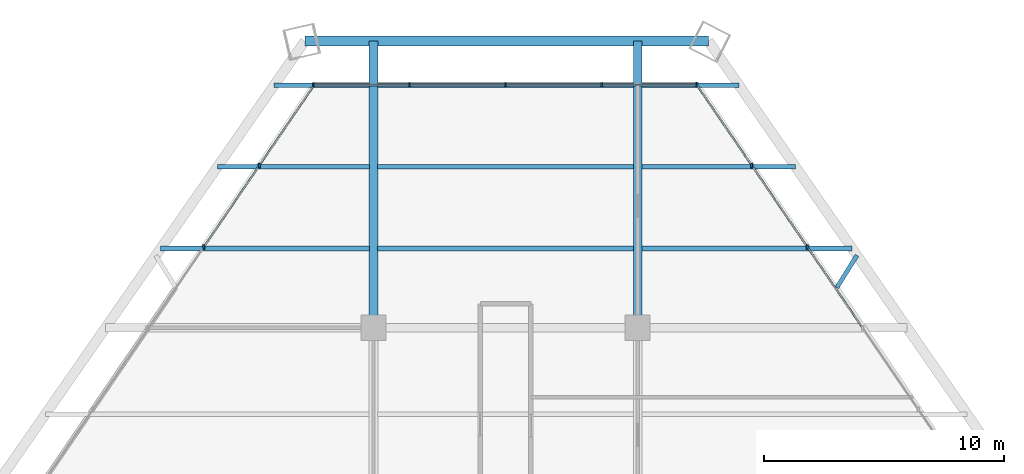
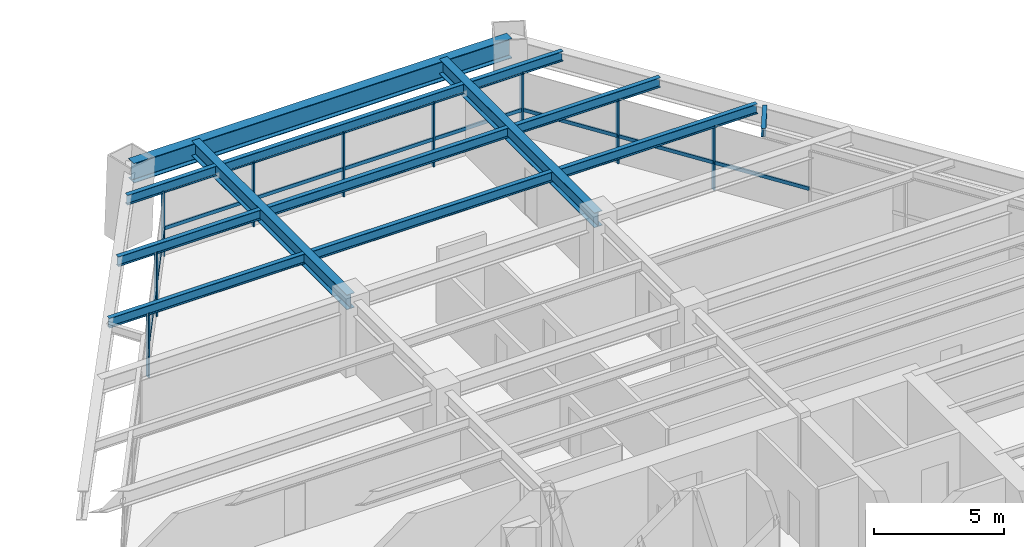
# One storey, part 8 of 13: 18 members, 13 beams, 3 elements without a shape of their own.
"""IFC4 building model written with IfcOpenShell, lengths in metres."""

from ifc_helpers import new_model, si_unit, direction, frame, origin, origin_2d, place, context, subcontext, project, spatial, rectangle, i_section, extrude, source, transform, mapped, material, material_profile, profile_set, type_object, type_shapes, element, aggregate, save


model = new_model("IFC4")

# Units and contexts
model_context = context("Model", 3, precision=1e-05, world=origin(), true_north=direction((0.0, 1.0)))
body_context = subcontext(model_context, "Body", "Model", "MODEL_VIEW")
ifc_project = project(units=[si_unit("LENGTHUNIT", "METRE"), si_unit("AREAUNIT", "SQUARE_METRE"), si_unit("VOLUMEUNIT", "CUBIC_METRE"), si_unit("PLANEANGLEUNIT", "RADIAN"), si_unit("MASSUNIT", "GRAM", prefix="KILO")], contexts=[model_context])

# Site, building, storey
site_placement = place(None, origin())
site = spatial("IfcSite", under=ifc_project, at=site_placement, CompositionType="ELEMENT")
building_placement = place(site_placement, origin())
building = spatial("IfcBuilding", under=site, at=building_placement, Name="Varnakhor Terracotta Tower", CompositionType="ELEMENT")
storey_placement = place(building_placement, frame((0.0, 0.0, 27.5)))
storey = spatial("IfcBuildingStorey", under=building, at=storey_placement, Name="L05", CompositionType="ELEMENT", Elevation=27.5)

# Beams
ifc_material_1 = material(Name="Steel S355", Category="steel")
ifc_material_profile_1 = material_profile(ifc_material_1, i_section(OverallWidth=0.41796875, OverallDepth=0.927001953125, WebThickness=0.01904296875, FlangeThickness=0.031982421875, FilletRadius=0.01806640625, at=origin_2d()), Name="W36X231")
ifc_profile_set_1 = profile_set([ifc_material_profile_1], Name="Steel S355")
beam_type_1 = type_object("IfcBeamType", Name="BM-W36X231", PredefinedType="BEAM", material=ifc_profile_set_1)
shared_shape_1 = source(origin(), body_context, "Body", "SweptSolid", [
    extrude(i_section(OverallWidth=0.41796875, OverallDepth=0.927001953125, WebThickness=0.01904296875, FlangeThickness=0.031982421875, FilletRadius=0.01806640625, at=origin_2d()), origin(), (0.0, 0.0, 1.0), 16.80078125),
])
beam_1_placement = place(storey_placement, frame((8.443603515625, 43.44287109375, 2.986572265625), z_axis=(-1.0, 0.0, 0.0), x_axis=(0.0, -1.0, 0.0)))
element("IfcBeam", 1, at=beam_1_placement, inside=storey, type_object=beam_type_1, Name="L05 Perimeter Spandrel 5", PredefinedType="BEAM", context=body_context, shape_type="MappedRepresentation", body=[
    mapped(shared_shape_1, transform((0.0, 0.0, 0.0), scale=1.0)),
])
ifc_material_profile_2 = material_profile(ifc_material_1, i_section(OverallWidth=0.35498046875, OverallDepth=0.695068359375, WebThickness=0.014892578125, FlangeThickness=0.02490234375, FilletRadius=0.01806640625, at=origin_2d()), Name="W27X146")
ifc_profile_set_2 = profile_set([ifc_material_profile_2], Name="Steel S355")
beam_type_2 = type_object("IfcBeamType", Name="BM-W27X146", PredefinedType="BEAM", material=ifc_profile_set_2)
shared_shape_2 = source(origin(), body_context, "Body", "SweptSolid", [
    extrude(i_section(OverallWidth=0.35498046875, OverallDepth=0.695068359375, WebThickness=0.014892578125, FlangeThickness=0.02490234375, FilletRadius=0.01806640625, at=origin_2d()), origin(), (0.0, 0.0, 1.0), 11.94287109375),
])
for number, where, z_axis, x_axis, name in (
    (2, (-5.5, 31.5, 3.1025390625), (0.0, 1.0, 0.0), (-1.0, 0.0, 0.0), "L05 Primary Girder NS3-W"),
    (3, (5.5, 31.5, 3.1025390625), (0.0, 1.0, 0.0), (-1.0, 0.0, 0.0), "L05 Primary Girder NS3-E"),
):
    element("IfcBeam", number, at=place(storey_placement, frame(where, z_axis=z_axis, x_axis=x_axis)), inside=storey, type_object=beam_type_2, Name=name, PredefinedType="BEAM", context=body_context, shape_type="MappedRepresentation", body=[
        mapped(shared_shape_2, transform((0.0, 0.0, 0.0), scale=1.0)),
    ])
ifc_material_profile_3 = material_profile(ifc_material_1, i_section(OverallWidth=0.19189453125, OverallDepth=0.462890625, WebThickness=0.010498046875, FlangeThickness=0.017578125, FilletRadius=0.01806640625, at=origin_2d()), Name="W18X60")
ifc_profile_set_3 = profile_set([ifc_material_profile_3], Name="Steel S355")
beam_type_3 = type_object("IfcBeamType", Name="JST-W18X60", PredefinedType="JOIST", material=ifc_profile_set_3)
shared_shape_3 = source(origin(), body_context, "Body", "SweptSolid", [
    extrude(i_section(OverallWidth=0.19189453125, OverallDepth=0.462890625, WebThickness=0.010498046875, FlangeThickness=0.017578125, FilletRadius=0.01806640625, at=origin_2d()), origin(), (0.0, 0.0, 1.0), 10.65283203125),
])
for number, where, z_axis, x_axis, name in (
    (4, (-5.326416015625, 34.800048828125, 3.218505859375), (1.0, 0.0, 0.0), (0.0, 1.0, 0.0), "L05 Composite Floor Joist 7-2"),
    (5, (-5.326416015625, 38.199951171875, 3.218505859375), (1.0, 0.0, 0.0), (0.0, 1.0, 0.0), "L05 Composite Floor Joist 8-2"),
    (6, (-5.326416015625, 41.60009765625, 3.218505859375), (1.0, 0.0, 0.0), (0.0, 1.0, 0.0), "L05 Composite Floor Joist 9-2"),
):
    element("IfcBeam", number, at=place(storey_placement, frame(where, z_axis=z_axis, x_axis=x_axis)), inside=storey, type_object=beam_type_3, Name=name, PredefinedType="JOIST", context=body_context, shape_type="MappedRepresentation", body=[
        mapped(shared_shape_3, transform((0.0, 0.0, 0.0), scale=1.0)),
    ])
shared_shape_4 = source(origin(), body_context, "Body", "SweptSolid", [
    extrude(i_section(OverallWidth=0.19189453125, OverallDepth=0.462890625, WebThickness=0.010498046875, FlangeThickness=0.017578125, FilletRadius=0.01806640625, at=origin_2d()), origin(), (0.0, 0.0, 1.0), 8.693115234375),
])
beam_2_placement = place(storey_placement, frame((-14.36669921875, 34.800048828125, 3.218505859375), z_axis=(1.0, 0.0, 0.0), x_axis=(0.0, 1.0, 0.0)))
element("IfcBeam", 7, at=beam_2_placement, inside=storey, type_object=beam_type_3, Name="L05 Composite Floor Joist 7-1", PredefinedType="JOIST", context=body_context, shape_type="MappedRepresentation", body=[
    mapped(shared_shape_4, transform((0.0, 0.0, 0.0), scale=1.0)),
])
shared_shape_5 = source(origin(), body_context, "Body", "SweptSolid", [
    extrude(i_section(OverallWidth=0.19189453125, OverallDepth=0.462890625, WebThickness=0.010498046875, FlangeThickness=0.017578125, FilletRadius=0.01806640625, at=origin_2d()), origin(), (0.0, 0.0, 1.0), 8.76220703125),
])
beam_3_placement = place(storey_placement, frame((5.673583984375, 34.800048828125, 3.218505859375), z_axis=(1.0, 0.0, 0.0), x_axis=(0.0, 1.0, 0.0)))
element("IfcBeam", 8, at=beam_3_placement, inside=storey, type_object=beam_type_3, Name="L05 Composite Floor Joist 7-3", PredefinedType="JOIST", context=body_context, shape_type="MappedRepresentation", body=[
    mapped(shared_shape_5, transform((0.0, 0.0, 0.0), scale=1.0)),
])
shared_shape_6 = source(origin(), body_context, "Body", "SweptSolid", [
    extrude(i_section(OverallWidth=0.19189453125, OverallDepth=0.462890625, WebThickness=0.010498046875, FlangeThickness=0.017578125, FilletRadius=0.01806640625, at=origin_2d()), origin(), (0.0, 0.0, 1.0), 6.328857421875),
])
beam_4_placement = place(storey_placement, frame((-12.00244140625, 38.199951171875, 3.218505859375), z_axis=(1.0, 0.0, 0.0), x_axis=(0.0, 1.0, 0.0)))
element("IfcBeam", 9, at=beam_4_placement, inside=storey, type_object=beam_type_3, Name="L05 Composite Floor Joist 8-1", PredefinedType="JOIST", context=body_context, shape_type="MappedRepresentation", body=[
    mapped(shared_shape_6, transform((0.0, 0.0, 0.0), scale=1.0)),
])
shared_shape_7 = source(origin(), body_context, "Body", "SweptSolid", [
    extrude(i_section(OverallWidth=0.19189453125, OverallDepth=0.462890625, WebThickness=0.010498046875, FlangeThickness=0.017578125, FilletRadius=0.01806640625, at=origin_2d()), origin(), (0.0, 0.0, 1.0), 6.405029296875),
])
beam_5_placement = place(storey_placement, frame((5.673583984375, 38.199951171875, 3.218505859375), z_axis=(1.0, 0.0, 0.0), x_axis=(0.0, 1.0, 0.0)))
element("IfcBeam", 10, at=beam_5_placement, inside=storey, type_object=beam_type_3, Name="L05 Composite Floor Joist 8-3", PredefinedType="JOIST", context=body_context, shape_type="MappedRepresentation", body=[
    mapped(shared_shape_7, transform((0.0, 0.0, 0.0), scale=1.0)),
])
shared_shape_8 = source(origin(), body_context, "Body", "SweptSolid", [
    extrude(i_section(OverallWidth=0.19189453125, OverallDepth=0.462890625, WebThickness=0.010498046875, FlangeThickness=0.017578125, FilletRadius=0.01806640625, at=origin_2d()), origin(), (0.0, 0.0, 1.0), 3.96484375),
])
beam_6_placement = place(storey_placement, frame((-9.638427734375, 41.60009765625, 3.218505859375), z_axis=(1.0, 0.0, 0.0), x_axis=(0.0, 1.0, 0.0)))
element("IfcBeam", 11, at=beam_6_placement, inside=storey, type_object=beam_type_3, Name="L05 Composite Floor Joist 9-1", PredefinedType="JOIST", context=body_context, shape_type="MappedRepresentation", body=[
    mapped(shared_shape_8, transform((0.0, 0.0, 0.0), scale=1.0)),
])
shared_shape_9 = source(origin(), body_context, "Body", "SweptSolid", [
    extrude(i_section(OverallWidth=0.19189453125, OverallDepth=0.462890625, WebThickness=0.010498046875, FlangeThickness=0.017578125, FilletRadius=0.01806640625, at=origin_2d()), origin(), (0.0, 0.0, 1.0), 4.047607421875),
])
beam_7_placement = place(storey_placement, frame((5.673583984375, 41.60009765625, 3.218505859375), z_axis=(1.0, 0.0, 0.0), x_axis=(0.0, 1.0, 0.0)))
element("IfcBeam", 12, at=beam_7_placement, inside=storey, type_object=beam_type_3, Name="L05 Composite Floor Joist 9-3", PredefinedType="JOIST", context=body_context, shape_type="MappedRepresentation", body=[
    mapped(shared_shape_9, transform((0.0, 0.0, 0.0), scale=1.0)),
])

# Curtain wall, members
ifc_material_2 = material(Name="Anodised Aluminium Curtain Wall System", Category="aluminium")
curtain_wall_type = type_object("IfcCurtainWallType", Name="CW-SYS-LOW-OFFICE", PredefinedType="NOTDEFINED", material=ifc_material_2)
curtain_wall_1_placement = place(storey_placement, origin())
curtain_wall_1 = element("IfcCurtainWall", 13, at=curtain_wall_1_placement, inside=storey, type_object=curtain_wall_type, Name="L05 Facet Curtain Wall 1", PredefinedType="NOTDEFINED")
ifc_material_3 = material(Name="Anodised Aluminium 6063-T6", Category="aluminium")
ifc_material_profile_4 = material_profile(ifc_material_3, rectangle(XDim=0.074951171875, YDim=0.18505859375, at=origin_2d()), Name="ALU MULLION 75x185")
ifc_profile_set_4 = profile_set([ifc_material_profile_4], Name="Anodised Aluminium 6063-T6")
member_type_1 = type_object("IfcMemberType", Name="CWM-02", PredefinedType="MULLION", material=ifc_profile_set_4)
shared_shape_10 = source(origin(), body_context, "Body", "SweptSolid", [
    extrude(rectangle(XDim=0.074951171875, YDim=0.18505859375, at=origin_2d()), origin(), (0.0, 0.0, 1.0), 3.030029296875),
])
type_shapes(member_type_1, [shared_shape_10])
member_1_placement = place(storey_placement, frame((-12.563720703125, 34.871826171875, 0.0), z_axis=(0.0, 0.0, 1.0), x_axis=(1.0, 0.0, 0.0)))
member_1 = element("IfcMember", 14, at=member_1_placement, type_object=member_type_1, Name="L05 Facet Curtain Wall 1 Mullion 8", PredefinedType="MULLION", context=body_context, shape_type="MappedRepresentation", body=[
    mapped(shared_shape_10, transform((0.0, 0.0, 0.0), scale=1.0)),
])
member_2_placement = place(storey_placement, frame((-10.255615234375, 38.2548828125, 0.0), z_axis=(0.0, 0.0, 1.0), x_axis=(1.0, 0.0, 0.0)))
member_2 = element("IfcMember", 15, at=member_2_placement, type_object=member_type_1, Name="L05 Facet Curtain Wall 1 Mullion 9", PredefinedType="MULLION", context=body_context, shape_type="MappedRepresentation", body=[
    mapped(shared_shape_10, transform((0.0, 0.0, 0.0), scale=1.0)),
])

curtain_wall_2_placement = place(storey_placement, origin())
curtain_wall_2 = element("IfcCurtainWall", 16, at=curtain_wall_2_placement, inside=storey, type_object=curtain_wall_type, Name="L05 Facet Curtain Wall 2", PredefinedType="NOTDEFINED")
member_3_placement = place(storey_placement, frame((-8.0, 41.610107421875, 0.0), z_axis=(0.0, 0.0, 1.0), x_axis=(1.0, 0.0, 0.0)))
member_3 = element("IfcMember", 17, at=member_3_placement, type_object=member_type_1, Name="L05 Facet Curtain Wall 2 Mullion 1", PredefinedType="MULLION", context=body_context, shape_type="MappedRepresentation", body=[
    mapped(shared_shape_10, transform((0.0, 0.0, 0.0), scale=1.0)),
])
member_4_placement = place(storey_placement, frame((-4.0, 41.610107421875, 0.0), z_axis=(0.0, 0.0, 1.0), x_axis=(1.0, 0.0, 0.0)))
member_4 = element("IfcMember", 18, at=member_4_placement, type_object=member_type_1, Name="L05 Facet Curtain Wall 2 Mullion 2", PredefinedType="MULLION", context=body_context, shape_type="MappedRepresentation", body=[
    mapped(shared_shape_10, transform((0.0, 0.0, 0.0), scale=1.0)),
])
member_5_placement = place(storey_placement, frame((0.0, 41.610107421875, 0.0), z_axis=(0.0, 0.0, 1.0), x_axis=(1.0, 0.0, 0.0)))
member_5 = element("IfcMember", 19, at=member_5_placement, type_object=member_type_1, Name="L05 Facet Curtain Wall 2 Mullion 3", PredefinedType="MULLION", context=body_context, shape_type="MappedRepresentation", body=[
    mapped(shared_shape_10, transform((0.0, 0.0, 0.0), scale=1.0)),
])
member_6_placement = place(storey_placement, frame((4.0, 41.610107421875, 0.0), z_axis=(0.0, 0.0, 1.0), x_axis=(1.0, 0.0, 0.0)))
member_6 = element("IfcMember", 20, at=member_6_placement, type_object=member_type_1, Name="L05 Facet Curtain Wall 2 Mullion 4", PredefinedType="MULLION", context=body_context, shape_type="MappedRepresentation", body=[
    mapped(shared_shape_10, transform((0.0, 0.0, 0.0), scale=1.0)),
])

curtain_wall_3_placement = place(storey_placement, origin())
curtain_wall_3 = element("IfcCurtainWall", 21, at=curtain_wall_3_placement, inside=storey, type_object=curtain_wall_type, Name="L05 Facet Curtain Wall 3", PredefinedType="NOTDEFINED")
member_7_placement = place(storey_placement, frame((7.94775390625, 41.6376953125, 0.0), z_axis=(0.0, 0.0, 1.0), x_axis=(1.0, 0.0, 0.0)))
member_7 = element("IfcMember", 22, at=member_7_placement, type_object=member_type_1, Name="L05 Facet Curtain Wall 3 Mullion 1", PredefinedType="MULLION", context=body_context, shape_type="MappedRepresentation", body=[
    mapped(shared_shape_10, transform((0.0, 0.0, 0.0), scale=1.0)),
])
member_8_placement = place(storey_placement, frame((10.255615234375, 38.2548828125, 0.0), z_axis=(0.0, 0.0, 1.0), x_axis=(1.0, 0.0, 0.0)))
member_8 = element("IfcMember", 23, at=member_8_placement, type_object=member_type_1, Name="L05 Facet Curtain Wall 3 Mullion 2", PredefinedType="MULLION", context=body_context, shape_type="MappedRepresentation", body=[
    mapped(shared_shape_10, transform((0.0, 0.0, 0.0), scale=1.0)),
])
member_9_placement = place(storey_placement, frame((12.563720703125, 34.871826171875, 0.0), z_axis=(0.0, 0.0, 1.0), x_axis=(1.0, 0.0, 0.0)))
member_9 = element("IfcMember", 24, at=member_9_placement, type_object=member_type_1, Name="L05 Facet Curtain Wall 3 Mullion 3", PredefinedType="MULLION", context=body_context, shape_type="MappedRepresentation", body=[
    mapped(shared_shape_10, transform((0.0, 0.0, 0.0), scale=1.0)),
])

# Member
ifc_material_profile_5 = material_profile(ifc_material_3, rectangle(XDim=0.074951171875, YDim=0.1650390625, at=origin_2d()), Name="ALU TRANSOM 75x165")
ifc_profile_set_5 = profile_set([ifc_material_profile_5], Name="Anodised Aluminium 6063-T6")
member_type_2 = type_object("IfcMemberType", Name="CWT-02", PredefinedType="USERDEFINED", material=ifc_profile_set_5)
shared_shape_11 = source(origin(), body_context, "Body", "SweptSolid", [
    extrude(rectangle(XDim=0.074951171875, YDim=0.1650390625, at=origin_2d()), origin(), (0.0, 0.0, 1.0), 4.094970703125),
])
type_shapes(member_type_2, [shared_shape_11])
member_10_placement = place(storey_placement, frame((-10.255615234375, 38.2548828125, 1.272705078125), z_axis=(0.563569893016, 0.826068384389, 0.0), x_axis=(-0.826068384389, 0.563569893016, 0.0)))
member_10 = element("IfcMember", 25, at=member_10_placement, type_object=member_type_2, Name="L05 Facet Curtain Wall 1 Transom 9", ObjectType="TRANSOM", PredefinedType="USERDEFINED", context=body_context, shape_type="MappedRepresentation", body=[
    mapped(shared_shape_11, transform((0.0, 0.0, 0.0), scale=1.0)),
])

member_11_placement = place(storey_placement, frame((7.94775390625, 41.6376953125, 1.272705078125), z_axis=(0.563569893016, -0.826068384389, 0.0), x_axis=(0.826068384389, 0.563569893016, 0.0)))
member_11 = element("IfcMember", 26, at=member_11_placement, type_object=member_type_2, Name="L05 Facet Curtain Wall 3 Transom 1", ObjectType="TRANSOM", PredefinedType="USERDEFINED", context=body_context, shape_type="MappedRepresentation", body=[
    mapped(shared_shape_11, transform((0.0, 0.0, 0.0), scale=1.0)),
])

member_12_placement = place(storey_placement, frame((12.563720703125, 34.871826171875, 1.272705078125), z_axis=(0.563569893016, -0.826068384389, 0.0), x_axis=(0.826068384389, 0.563569893016, 0.0)))
member_12 = element("IfcMember", 27, at=member_12_placement, type_object=member_type_2, Name="L05 Facet Curtain Wall 3 Transom 3", ObjectType="TRANSOM", PredefinedType="USERDEFINED", context=body_context, shape_type="MappedRepresentation", body=[
    mapped(shared_shape_11, transform((0.0, 0.0, 0.0), scale=1.0)),
])

shared_shape_12 = source(origin(), body_context, "Body", "SweptSolid", [
    extrude(rectangle(XDim=0.074951171875, YDim=0.1650390625, at=origin_2d()), origin(), (0.0, 0.0, 1.0), 4.095458984375),
])
member_13_placement = place(storey_placement, frame((-12.563720703125, 34.871826171875, 1.272705078125), z_axis=(0.563582819566, 0.82605956534, 0.0), x_axis=(-0.82605956534, 0.563582819566, 0.0)))
member_13 = element("IfcMember", 28, at=member_13_placement, type_object=member_type_2, Name="L05 Facet Curtain Wall 1 Transom 8", ObjectType="TRANSOM", PredefinedType="USERDEFINED", context=body_context, shape_type="MappedRepresentation", body=[
    mapped(shared_shape_12, transform((0.0, 0.0, 0.0), scale=1.0)),
])

aggregate(curtain_wall_1, [member_1, member_13, member_2, member_10])

member_14_placement = place(storey_placement, frame((10.255615234375, 38.2548828125, 1.272705078125), z_axis=(0.563582819566, -0.82605956534, 0.0), x_axis=(0.82605956534, 0.563582819566, 0.0)))
member_14 = element("IfcMember", 29, at=member_14_placement, type_object=member_type_2, Name="L05 Facet Curtain Wall 3 Transom 2", ObjectType="TRANSOM", PredefinedType="USERDEFINED", context=body_context, shape_type="MappedRepresentation", body=[
    mapped(shared_shape_12, transform((0.0, 0.0, 0.0), scale=1.0)),
])

aggregate(curtain_wall_3, [member_7, member_11, member_8, member_14, member_9, member_12])

shared_shape_13 = source(origin(), body_context, "Body", "SweptSolid", [
    extrude(rectangle(XDim=0.074951171875, YDim=0.1650390625, at=origin_2d()), origin(), (0.0, 0.0, 1.0), 4.0),
])
member_15_placement = place(storey_placement, frame((-8.0, 41.610107421875, 1.272705078125), z_axis=(1.0, 0.0, 0.0), x_axis=(0.0, 1.0, 0.0)))
member_15 = element("IfcMember", 30, at=member_15_placement, type_object=member_type_2, Name="L05 Facet Curtain Wall 2 Transom 1", ObjectType="TRANSOM", PredefinedType="USERDEFINED", context=body_context, shape_type="MappedRepresentation", body=[
    mapped(shared_shape_13, transform((0.0, 0.0, 0.0), scale=1.0)),
])

member_16_placement = place(storey_placement, frame((-4.0, 41.610107421875, 1.272705078125), z_axis=(1.0, 0.0, 0.0), x_axis=(0.0, 1.0, 0.0)))
member_16 = element("IfcMember", 31, at=member_16_placement, type_object=member_type_2, Name="L05 Facet Curtain Wall 2 Transom 2", ObjectType="TRANSOM", PredefinedType="USERDEFINED", context=body_context, shape_type="MappedRepresentation", body=[
    mapped(shared_shape_13, transform((0.0, 0.0, 0.0), scale=1.0)),
])

member_17_placement = place(storey_placement, frame((0.0, 41.610107421875, 1.272705078125), z_axis=(1.0, 0.0, 0.0), x_axis=(0.0, 1.0, 0.0)))
member_17 = element("IfcMember", 32, at=member_17_placement, type_object=member_type_2, Name="L05 Facet Curtain Wall 2 Transom 3", ObjectType="TRANSOM", PredefinedType="USERDEFINED", context=body_context, shape_type="MappedRepresentation", body=[
    mapped(shared_shape_13, transform((0.0, 0.0, 0.0), scale=1.0)),
])

member_18_placement = place(storey_placement, frame((4.0, 41.610107421875, 1.272705078125), z_axis=(1.0, 0.0, 0.0), x_axis=(0.0, 1.0, 0.0)))
member_18 = element("IfcMember", 33, at=member_18_placement, type_object=member_type_2, Name="L05 Facet Curtain Wall 2 Transom 4", ObjectType="TRANSOM", PredefinedType="USERDEFINED", context=body_context, shape_type="MappedRepresentation", body=[
    mapped(shared_shape_13, transform((0.0, 0.0, 0.0), scale=1.0)),
])

aggregate(curtain_wall_2, [member_3, member_15, member_4, member_16, member_5, member_17, member_6, member_18])

# Beam
ifc_material_profile_6 = material_profile(ifc_material_1, i_section(OverallWidth=0.179931640625, OverallDepth=0.39990234375, WebThickness=0.008544921875, FlangeThickness=0.013427734375, FilletRadius=0.01806640625, at=origin_2d()), Name="IPE400")
ifc_profile_set_6 = profile_set([ifc_material_profile_6], Name="Steel S355")
beam_type_4 = type_object("IfcBeamType", Name="JST-IPE400", PredefinedType="JOIST", material=ifc_profile_set_6)
shared_shape_14 = source(origin(), body_context, "Body", "SweptSolid", [
    extrude(i_section(OverallWidth=0.179931640625, OverallDepth=0.39990234375, WebThickness=0.008544921875, FlangeThickness=0.013427734375, FilletRadius=0.01806640625, at=origin_2d()), origin(), (0.0, 0.0, 1.0), 1.574462890625),
])
beam_8_placement = place(storey_placement, frame((13.800048828125, 33.179931640625, 3.25), z_axis=(0.528925259596, 0.848668409782, 0.0), x_axis=(-0.848668409782, 0.528925259596, 0.0)))
element("IfcBeam", 34, at=beam_8_placement, inside=storey, type_object=beam_type_4, Name="L06 E Loggia Tie Beam 1", PredefinedType="JOIST", context=body_context, shape_type="MappedRepresentation", body=[
    mapped(shared_shape_14, transform((0.0, 0.0, 0.0), scale=1.0)),
])

save(model, "model.ifc")
